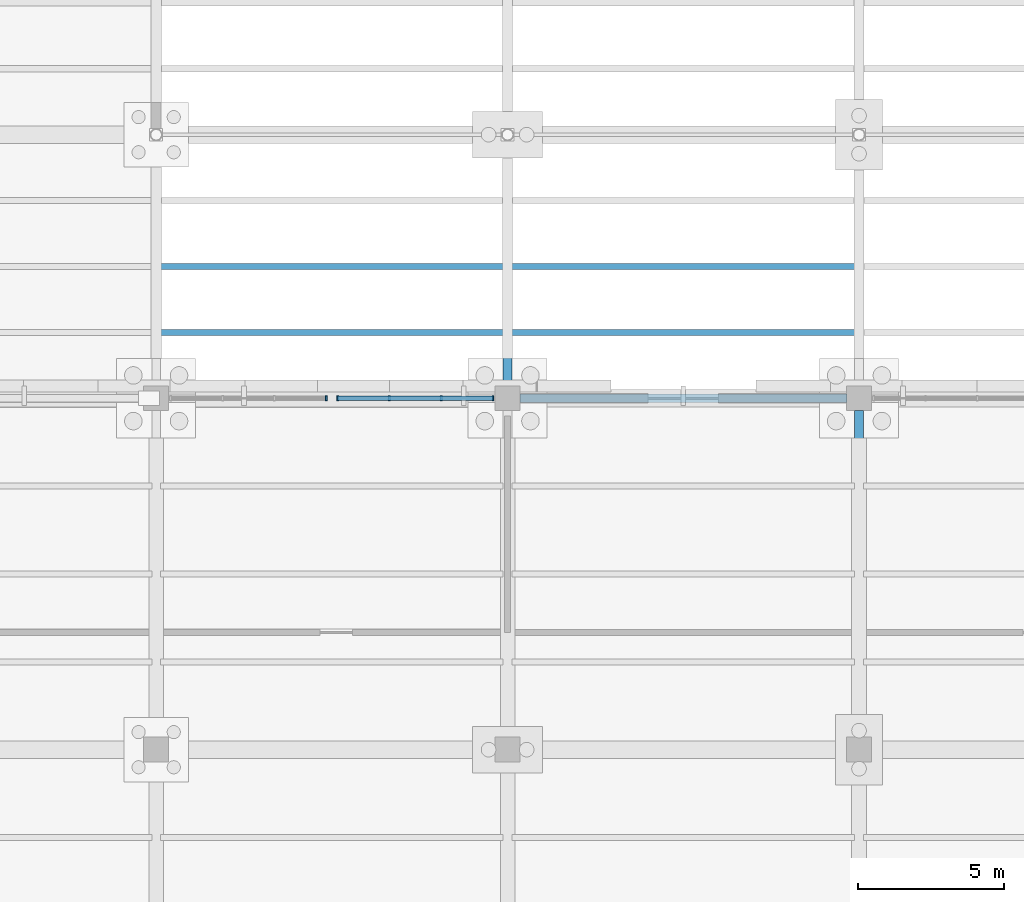
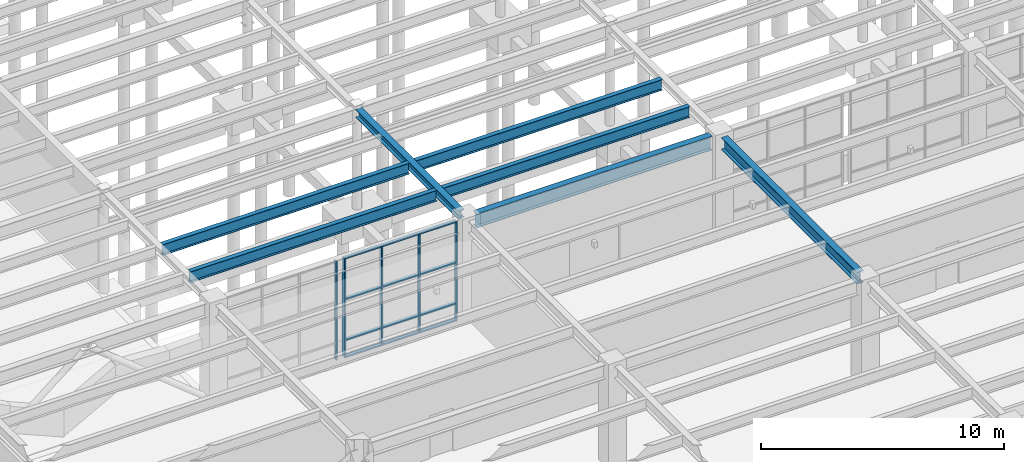
# One storey, part 36 of 85: 9 members, 7 beams, 2 elements without a shape of their own.
"""IFC4 building model written with IfcOpenShell, lengths in metres."""

import ifcopenshell
import ifcopenshell.guid

model = None  # the IFC model being written
_history = None  # IfcOwnerHistory: only IFC2X3 demands one
_inside = {}  # id of a spatial element -> (the spatial element, [elements in it])
_under = {}  # id of a project, library or spatial element -> (it, [spatial elements below it])
_declared = {}  # id of a project -> (the project, [libraries it declares])
_typed = {}  # id of a type object -> (the type object, [elements of that type])
_made_of = {}  # id of a material, layer set ... -> (it, [elements and type objects made of it])


def new_model(schema):
    """Start an empty IFC model of exactly this schema.

    Asked for "IFC4X3", IfcOpenShell would pick the latest addendum, in which some entities
    have other attributes; the version numbers below select the first issue.
    IFC2X3 requires an IfcOwnerHistory on every rooted entity: one is made here for all.
    """
    global model, _history
    if schema == "IFC4X3":
        model = ifcopenshell.file(schema_version=(4, 3, 0, 0))
    else:
        model = ifcopenshell.file(schema=schema)
    _inside.clear()
    _under.clear()
    _declared.clear()
    _typed.clear()
    _made_of.clear()
    _history = None
    if model.schema == "IFC2X3":
        org = make("IfcOrganization", Name="unknown")
        user = make(
            "IfcPersonAndOrganization",
            ThePerson=make("IfcPerson", FamilyName="unknown"),
            TheOrganization=org,
        )
        app = make(
            "IfcApplication",
            ApplicationDeveloper=org,
            Version="unknown",
            ApplicationFullName="unknown",
            ApplicationIdentifier="unknown",
        )
        _history = make(
            "IfcOwnerHistory",
            OwningUser=user,
            OwningApplication=app,
            ChangeAction="ADDED",
            CreationDate=0,
        )
    return model


def make(cls, **values):
    """One entity of the class cls with the attributes given. An attribute that is None is left unset."""
    return model.create_entity(
        cls, **{name: value for name, value in values.items() if value is not None}
    )


def rooted(cls, **values):
    """An entity with a GlobalId (a new one), such as an element, a storey or a relation."""
    return make(cls, GlobalId=ifcopenshell.guid.new(), OwnerHistory=_history, **values)


def si_unit(unit_type, name, prefix=None):
    """IfcSIUnit, for example si_unit("LENGTHUNIT", "METRE", prefix="MILLI")."""
    return make("IfcSIUnit", UnitType=unit_type, Prefix=prefix, Name=name)


def assignment(units):
    """IfcUnitAssignment: the units of a project."""
    return None if units is None else make("IfcUnitAssignment", Units=units)


def point(xyz):
    """IfcCartesianPoint."""
    return None if xyz is None else make("IfcCartesianPoint", Coordinates=xyz)


def direction(xyz):
    """IfcDirection."""
    return None if xyz is None else make("IfcDirection", DirectionRatios=xyz)


def frame(location, z_axis=None, x_axis=None):
    """IfcAxis2Placement3D, a coordinate frame: its origin and axes. An axis left out is left unset."""
    return make(
        "IfcAxis2Placement3D",
        Location=point(location),
        Axis=direction(z_axis),
        RefDirection=direction(x_axis),
    )


def frame_2d(location, x_axis=None):
    """IfcAxis2Placement2D, a coordinate frame in the plane: its origin and x axis."""
    return make(
        "IfcAxis2Placement2D", Location=point(location), RefDirection=direction(x_axis)
    )


def origin():
    """The frame at (0, 0, 0) with its axes left unset."""
    return frame((0.0, 0.0, 0.0))


def origin_2d():
    """The frame at (0, 0) in the plane with its x axis left unset."""
    return frame_2d((0.0, 0.0))


def place(relative_to, where):
    """IfcLocalPlacement: puts the frame where relative to a parent placement (None: the world)."""
    return make(
        "IfcLocalPlacement", PlacementRelTo=relative_to, RelativePlacement=where
    )


def context(
    kind, dimensions, precision=None, world=None, true_north=None, identifier=None
):
    """IfcGeometricRepresentationContext, for example the 3D "Model" context."""
    return make(
        "IfcGeometricRepresentationContext",
        ContextIdentifier=identifier,
        ContextType=kind,
        CoordinateSpaceDimension=dimensions,
        Precision=precision,
        WorldCoordinateSystem=world,
        TrueNorth=true_north,
    )


def subcontext(parent, identifier, kind, view, scale=None):
    """IfcGeometricRepresentationSubContext, for example "Body" below "Model"."""
    return make(
        "IfcGeometricRepresentationSubContext",
        ContextIdentifier=identifier,
        ContextType=kind,
        ParentContext=parent,
        TargetScale=scale,
        TargetView=view,
    )


def project(units=None, contexts=None):
    """IfcProject with its units and contexts."""
    return rooted(
        "IfcProject",
        Name="project",
        RepresentationContexts=contexts,
        UnitsInContext=assignment(units),
    )


def spatial(cls, under=None, at=None, **own):
    """A site, building, storey or space (cls), placed at a placement, below another one or the project."""
    s = rooted(cls, ObjectPlacement=at, **own)
    if under is not None:
        _under.setdefault(under.id(), (under, []))[1].append(s)
    return s


def profile(cls, at=None, kind="AREA", **sizes):
    """A parametric profile (cls). Its sizes go by their IFC names, for example OverallWidth=200.0."""
    return make(cls, ProfileType=kind, Position=at, **sizes)


def rectangle(**sizes):
    """IfcRectangleProfileDef."""
    return profile("IfcRectangleProfileDef", **sizes)


def i_section(**sizes):
    """IfcIShapeProfileDef."""
    return profile("IfcIShapeProfileDef", **sizes)


def extrude(swept, where, along, depth):
    """IfcExtrudedAreaSolid: the profile swept, set in the frame where, extruded along a direction by depth."""
    return make(
        "IfcExtrudedAreaSolid",
        SweptArea=swept,
        Position=where,
        ExtrudedDirection=direction(along),
        Depth=depth,
    )


def shape(context_of_items, identifier, shape_type, items):
    """IfcShapeRepresentation: the items that make up one representation, for example the "Body"."""
    return make(
        "IfcShapeRepresentation",
        ContextOfItems=context_of_items,
        RepresentationIdentifier=identifier,
        RepresentationType=shape_type,
        Items=items,
    )


def material(Name=None, Category=None):
    """IfcMaterial."""
    return make("IfcMaterial", Name=Name, Category=Category)


def layer(
    of_material, thickness, ventilated=None, Name=None, Category=None, Priority=None
):
    """IfcMaterialLayer: one layer of a wall or slab, of a material (None: an air gap)."""
    return make(
        "IfcMaterialLayer",
        Material=of_material,
        LayerThickness=thickness,
        IsVentilated=ventilated,
        Name=Name,
        Category=Category,
        Priority=Priority,
    )


def layer_set(layers, Name=None):
    """IfcMaterialLayerSet."""
    return make("IfcMaterialLayerSet", MaterialLayers=layers, LayerSetName=Name)


def material_profile(
    of_material, cross_section, Name=None, Category=None, Priority=None
):
    """IfcMaterialProfile: a cross section and its material."""
    return make(
        "IfcMaterialProfile",
        Name=Name,
        Material=of_material,
        Profile=cross_section,
        Priority=Priority,
        Category=Category,
    )


def profile_set(profiles, Name=None, composite=None):
    """IfcMaterialProfileSet."""
    return make(
        "IfcMaterialProfileSet",
        Name=Name,
        MaterialProfiles=profiles,
        CompositeProfile=composite,
    )


def made_of(thing, what):
    """Note that an element or type object is made of a material, layer set ...; save() writes the relation."""
    if what is not None:
        _made_of.setdefault(what.id(), (what, []))[1].append(thing)
    return thing


def type_object(cls, material=None, **own):
    """A type object (cls), such as IfcWallType, which elements share."""
    return made_of(rooted(cls, **own), material)


def element(
    cls,
    number,
    at=None,
    inside=None,
    cuts=None,
    type_object=None,
    material=None,
    context=None,
    identifier="Body",
    shape_type=None,
    held_by="IfcProductDefinitionShape",
    body=None,
    shapes=None,
    **own,
):
    """One element of the class cls, such as IfcWall. Its Tag is "e" and its number.

    at: its placement. inside: the storey or other place that contains it. cuts: it is an
    opening in that element (IfcRelVoidsElement). A single representation is given by context,
    identifier, shape_type and body (its items); several are given by shapes. held_by: the class
    of the entity that holds the representations. save() writes the other relations.
    """
    e = rooted(cls, Tag="e%d" % number, ObjectPlacement=at, **own)
    if body is not None:
        shapes = [shape(context, identifier, shape_type, body)]
    if shapes is not None:
        e.Representation = make(held_by, Representations=shapes)
    if inside is not None:
        _inside.setdefault(inside.id(), (inside, []))[1].append(e)
    if cuts is not None:
        rooted(
            "IfcRelVoidsElement", RelatingBuildingElement=cuts, RelatedOpeningElement=e
        )
    if type_object is not None:
        _typed.setdefault(type_object.id(), (type_object, []))[1].append(e)
    return made_of(e, material)


def aggregate(whole, parts):
    """IfcRelAggregates: a whole, such as a stair, and the parts it consists of."""
    return rooted("IfcRelAggregates", RelatingObject=whole, RelatedObjects=parts)


def save(model, path):
    """Write the relations noted so far, then the file.

    IfcRelAggregates (storeys below a building ...), IfcRelContainedInSpatialStructure (elements
    in a storey), IfcRelDefinesByType, IfcRelAssociatesMaterial and IfcRelDeclares: one each for
    every whole, place, type object, material and project.
    """
    for whole, parts in _under.values():
        aggregate(whole, parts)
    for where, things in _inside.values():
        rooted(
            "IfcRelContainedInSpatialStructure",
            RelatedElements=things,
            RelatingStructure=where,
        )
    for kind, things in _typed.values():
        rooted("IfcRelDefinesByType", RelatedObjects=things, RelatingType=kind)
    for what, things in _made_of.values():
        rooted("IfcRelAssociatesMaterial", RelatedObjects=things, RelatingMaterial=what)
    for by, libraries in _declared.values():
        rooted("IfcRelDeclares", RelatingContext=by, RelatedDefinitions=libraries)
    model.write(path)


model = new_model("IFC4")

# Units and contexts
model_context = context("Model", 3, precision=1e-05, world=origin(), true_north=direction((0.0, 1.0)))
body_context = subcontext(model_context, "Body", "Model", "MODEL_VIEW")
ifc_project = project(units=[si_unit("LENGTHUNIT", "METRE"), si_unit("AREAUNIT", "SQUARE_METRE"), si_unit("VOLUMEUNIT", "CUBIC_METRE"), si_unit("PLANEANGLEUNIT", "RADIAN"), si_unit("MASSUNIT", "GRAM", prefix="KILO")], contexts=[model_context])

# Site, building, storey
site_placement = place(None, origin())
site = spatial("IfcSite", under=ifc_project, at=site_placement, CompositionType="ELEMENT")
building_placement = place(site_placement, origin())
building = spatial("IfcBuilding", under=site, at=building_placement, Name="Keelwater Ferry Terminal", CompositionType="ELEMENT")
storey_placement = place(building_placement, origin())
storey = spatial("IfcBuildingStorey", under=building, at=storey_placement, Name="L00", CompositionType="ELEMENT", Elevation=0.0)

# Curtain wall, member
ifc_material_1 = material(Name="Thermally broken unitised aluminium and triple glass", Category="aluminium")
ifc_layer = layer(ifc_material_1, 0.179931640625)
ifc_layer_set = layer_set([ifc_layer], Name="Thermally broken unitised aluminium and triple glass")
curtain_wall_type = type_object("IfcCurtainWallType", Name="CW-05 Unitised Curtain Wall 5305x4950", PredefinedType="USERDEFINED", material=ifc_layer_set)
curtain_wall_1_placement = place(storey_placement, origin())
curtain_wall_1 = element("IfcCurtainWall", 1, at=curtain_wall_1_placement, inside=storey, type_object=curtain_wall_type, Name="Unitised Curtain Wall CW-L00-025", ObjectType="UNITISED CURTAIN WALL", PredefinedType="USERDEFINED")
ifc_material_2 = material(Name="Aluminium mullion", Category="aluminium")
ifc_material_profile_1 = material_profile(ifc_material_2, rectangle(XDim=0.06494140625, YDim=0.179931640625, at=origin_2d()), Name="CWM-01")
ifc_profile_set_1 = profile_set([ifc_material_profile_1], Name="Aluminium mullion")
member_type_1 = type_object("IfcMemberType", Name="CWM-01 Curtain Mullion 65x180", PredefinedType="MULLION", material=ifc_profile_set_1)
member_1_placement = place(storey_placement, frame((65.804931640625, 90.0, 0.0), z_axis=(0.0, 0.0, 1.0), x_axis=(1.0, 0.0, 0.0)))
member_1 = element("IfcMember", 2, at=member_1_placement, type_object=member_type_1, Name="CW-L00-025 Mullion 4", PredefinedType="MULLION", context=body_context, shape_type="SweptSolid", body=[
    extrude(rectangle(XDim=0.06494140625, YDim=0.179931640625, at=origin_2d()), origin(), (0.0, 0.0, 1.0), 4.949951171875),
])
aggregate(curtain_wall_1, [member_1])

# Curtain wall, members
curtain_wall_2_placement = place(storey_placement, origin())
curtain_wall_2 = element("IfcCurtainWall", 3, at=curtain_wall_2_placement, inside=storey, type_object=curtain_wall_type, Name="Unitised Curtain Wall CW-L00-026", ObjectType="UNITISED CURTAIN WALL", PredefinedType="USERDEFINED")
member_2_placement = place(storey_placement, frame((66.195068359375, 90.0, 0.0), z_axis=(0.0, 0.0, 1.0), x_axis=(1.0, 0.0, 0.0)))
member_2 = element("IfcMember", 4, at=member_2_placement, type_object=member_type_1, Name="CW-L00-026 Mullion 1", PredefinedType="MULLION", context=body_context, shape_type="SweptSolid", body=[
    extrude(rectangle(XDim=0.06494140625, YDim=0.179931640625, at=origin_2d()), origin(), (0.0, 0.0, 1.0), 4.949951171875),
])
member_3_placement = place(storey_placement, frame((67.96337890625, 90.0, 0.0), z_axis=(0.0, 0.0, 1.0), x_axis=(1.0, 0.0, 0.0)))
member_3 = element("IfcMember", 5, at=member_3_placement, type_object=member_type_1, Name="CW-L00-026 Mullion 2", PredefinedType="MULLION", context=body_context, shape_type="SweptSolid", body=[
    extrude(rectangle(XDim=0.06494140625, YDim=0.179931640625, at=origin_2d()), origin(), (0.0, 0.0, 1.0), 4.949951171875),
])
member_4_placement = place(storey_placement, frame((69.731689453125, 90.0, 0.0), z_axis=(0.0, 0.0, 1.0), x_axis=(1.0, 0.0, 0.0)))
member_4 = element("IfcMember", 6, at=member_4_placement, type_object=member_type_1, Name="CW-L00-026 Mullion 3", PredefinedType="MULLION", context=body_context, shape_type="SweptSolid", body=[
    extrude(rectangle(XDim=0.06494140625, YDim=0.179931640625, at=origin_2d()), origin(), (0.0, 0.0, 1.0), 4.949951171875),
])
member_5_placement = place(storey_placement, frame((71.5, 90.0, 0.0), z_axis=(0.0, 0.0, 1.0), x_axis=(1.0, 0.0, 0.0)))
member_5 = element("IfcMember", 7, at=member_5_placement, type_object=member_type_1, Name="CW-L00-026 Mullion 4", PredefinedType="MULLION", context=body_context, shape_type="SweptSolid", body=[
    extrude(rectangle(XDim=0.06494140625, YDim=0.179931640625, at=origin_2d()), origin(), (0.0, 0.0, 1.0), 4.949951171875),
])
ifc_material_3 = material(Name="Aluminium mullion", Category="aluminium")
ifc_material_profile_2 = material_profile(ifc_material_3, rectangle(XDim=0.159912109375, YDim=0.06494140625, at=origin_2d()), Name="CWT-01")
ifc_profile_set_2 = profile_set([ifc_material_profile_2], Name="Aluminium mullion")
member_type_2 = type_object("IfcMemberType", Name="CWT-01 Curtain Transom 65x160", PredefinedType="USERDEFINED", material=ifc_profile_set_2)
member_6_placement = place(storey_placement, frame((66.195068359375, 90.0, 0.0), z_axis=(1.0, 0.0, 0.0), x_axis=(0.0, 1.0, 0.0)))
member_6 = element("IfcMember", 8, at=member_6_placement, type_object=member_type_2, Name="CW-L00-026 Transom 1", ObjectType="TRANSOM", PredefinedType="USERDEFINED", context=body_context, shape_type="SweptSolid", body=[
    extrude(rectangle(XDim=0.159912109375, YDim=0.06494140625, at=origin_2d()), origin(), (0.0, 0.0, 1.0), 5.304931640625),
])
member_7_placement = place(storey_placement, frame((66.195068359375, 90.0, 0.85009765625), z_axis=(1.0, 0.0, 0.0), x_axis=(0.0, 1.0, 0.0)))
member_7 = element("IfcMember", 9, at=member_7_placement, type_object=member_type_2, Name="CW-L00-026 Transom 2", ObjectType="TRANSOM", PredefinedType="USERDEFINED", context=body_context, shape_type="SweptSolid", body=[
    extrude(rectangle(XDim=0.159912109375, YDim=0.06494140625, at=origin_2d()), origin(), (0.0, 0.0, 1.0), 5.304931640625),
])
member_8_placement = place(storey_placement, frame((66.195068359375, 90.0, 2.89990234375), z_axis=(1.0, 0.0, 0.0), x_axis=(0.0, 1.0, 0.0)))
member_8 = element("IfcMember", 10, at=member_8_placement, type_object=member_type_2, Name="CW-L00-026 Transom 3", ObjectType="TRANSOM", PredefinedType="USERDEFINED", context=body_context, shape_type="SweptSolid", body=[
    extrude(rectangle(XDim=0.159912109375, YDim=0.06494140625, at=origin_2d()), origin(), (0.0, 0.0, 1.0), 5.304931640625),
])
member_9_placement = place(storey_placement, frame((66.195068359375, 90.0, 4.949951171875), z_axis=(1.0, 0.0, 0.0), x_axis=(0.0, 1.0, 0.0)))
member_9 = element("IfcMember", 11, at=member_9_placement, type_object=member_type_2, Name="CW-L00-026 Transom 4", ObjectType="TRANSOM", PredefinedType="USERDEFINED", context=body_context, shape_type="SweptSolid", body=[
    extrude(rectangle(XDim=0.159912109375, YDim=0.06494140625, at=origin_2d()), origin(), (0.0, 0.0, 1.0), 5.304931640625),
])
aggregate(curtain_wall_2, [member_2, member_3, member_4, member_5, member_6, member_7, member_8, member_9])

# Beams
ifc_material_4 = material(Name="Steel S355", Category="steel")
ifc_material_profile_3 = material_profile(ifc_material_4, i_section(OverallWidth=0.300048828125, OverallDepth=0.699951171875, WebThickness=0.01708984375, FlangeThickness=0.031982421875, at=origin_2d()), Name="HEB 700")
ifc_profile_set_3 = profile_set([ifc_material_profile_3], Name="Steel S355")
beam_type_1 = type_object("IfcBeamType", Name="G2E HEB 700", PredefinedType="BEAM", material=ifc_profile_set_3)
beam_1_placement = place(storey_placement, frame((72.416015625, 90.0, 4.7099609375), z_axis=(1.0, 0.0, 0.0), x_axis=(0.0, 1.0, 0.0)))
element("IfcBeam", 12, at=beam_1_placement, inside=storey, type_object=beam_type_1, Name="Beam BM-L00-0090", PredefinedType="BEAM", context=body_context, shape_type="SweptSolid", body=[
    extrude(i_section(OverallWidth=0.300048828125, OverallDepth=0.699951171875, WebThickness=0.01708984375, FlangeThickness=0.031982421875, at=origin_2d()), origin(), (0.0, 0.0, 1.0), 11.16796875),
])
ifc_material_5 = material(Name="Steel S355", Category="steel")
ifc_material_profile_4 = material_profile(ifc_material_5, i_section(OverallWidth=0.300048828125, OverallDepth=0.60009765625, WebThickness=0.015380859375, FlangeThickness=0.030029296875, at=origin_2d()), Name="HEB 600")
ifc_profile_set_4 = profile_set([ifc_material_profile_4], Name="Steel S355")
beam_type_2 = type_object("IfcBeamType", Name="G3 HEB 600", PredefinedType="BEAM", material=ifc_profile_set_4)
beam_2_placement = place(storey_placement, frame((84.0, 78.416015625, 4.760009765625), z_axis=(0.0, 1.0, 0.0), x_axis=(-1.0, 0.0, 0.0)))
element("IfcBeam", 13, at=beam_2_placement, inside=storey, type_object=beam_type_2, Name="Beam BM-L00-0215", PredefinedType="BEAM", context=body_context, shape_type="SweptSolid", body=[
    extrude(i_section(OverallWidth=0.300048828125, OverallDepth=0.60009765625, WebThickness=0.015380859375, FlangeThickness=0.030029296875, at=origin_2d()), origin(), (0.0, 0.0, 1.0), 11.16796875),
])
ifc_material_6 = material(Name="Steel S355", Category="steel")
ifc_material_profile_5 = material_profile(ifc_material_6, i_section(OverallWidth=0.300048828125, OverallDepth=0.39990234375, WebThickness=0.013427734375, FlangeThickness=0.02392578125, at=origin_2d()), Name="HEB 400")
ifc_profile_set_5 = profile_set([ifc_material_profile_5], Name="Steel S355")
beam_type_3 = type_object("IfcBeamType", Name="G7 HEB 400", PredefinedType="BEAM", material=ifc_profile_set_5)
beam_3_placement = place(storey_placement, frame((72.0, 90.416015625, 4.860107421875), z_axis=(0.0, 1.0, 0.0), x_axis=(-1.0, 0.0, 0.0)))
element("IfcBeam", 14, at=beam_3_placement, inside=storey, type_object=beam_type_3, Name="Beam BM-L00-0208", PredefinedType="BEAM", context=body_context, shape_type="SweptSolid", body=[
    extrude(i_section(OverallWidth=0.300048828125, OverallDepth=0.39990234375, WebThickness=0.013427734375, FlangeThickness=0.02392578125, at=origin_2d()), origin(), (0.0, 0.0, 1.0), 8.4169921875),
])
ifc_material_7 = material(Name="Steel S355", Category="steel")
ifc_material_profile_6 = material_profile(ifc_material_7, i_section(OverallWidth=0.2099609375, OverallDepth=0.550048828125, WebThickness=0.010986328125, FlangeThickness=0.01708984375, at=origin_2d()), Name="IPE 550")
ifc_profile_set_6 = profile_set([ifc_material_profile_6], Name="Steel S355")
beam_type_4 = type_object("IfcBeamType", Name="J2 IPE 550", PredefinedType="JOIST", material=ifc_profile_set_6)
for number, where, z_axis, x_axis, name in (
    (15, (60.14990234375, 92.25, 4.784912109375), (1.0, 0.0, 0.0), (0.0, 1.0, 0.0), "Beam BM-L00-0378"),
    (16, (60.14990234375, 94.5, 4.784912109375), (1.0, 0.0, 0.0), (0.0, 1.0, 0.0), "Beam BM-L00-0379"),
    (17, (72.14990234375, 92.25, 4.784912109375), (1.0, 0.0, 0.0), (0.0, 1.0, 0.0), "Beam BM-L00-0402"),
    (18, (72.14990234375, 94.5, 4.784912109375), (1.0, 0.0, 0.0), (0.0, 1.0, 0.0), "Beam BM-L00-0403"),
):
    element("IfcBeam", number, at=place(storey_placement, frame(where, z_axis=z_axis, x_axis=x_axis)), inside=storey, type_object=beam_type_4, Name=name, PredefinedType="JOIST", context=body_context, shape_type="SweptSolid", body=[
        extrude(i_section(OverallWidth=0.2099609375, OverallDepth=0.550048828125, WebThickness=0.010986328125, FlangeThickness=0.01708984375, at=origin_2d()), origin(), (0.0, 0.0, 1.0), 11.7001953125),
    ])

save(model, "model.ifc")
